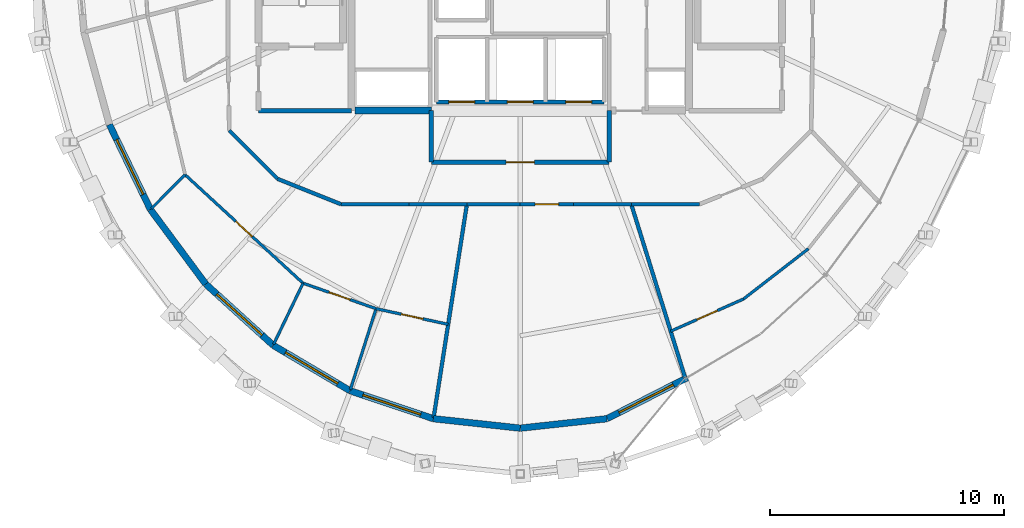
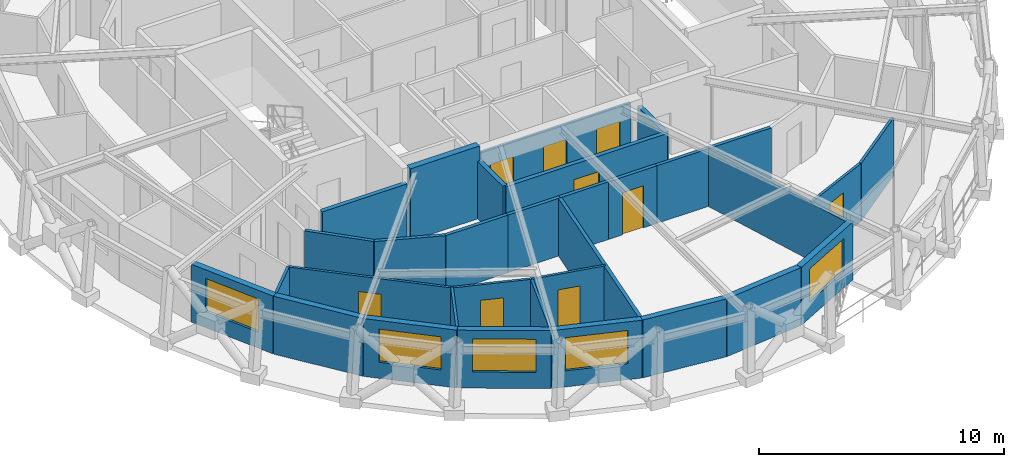
# One storey, part 10 of 15: 32 walls, 9 doors, 5 windows, 14 openings.
"""IFC4 building model written with IfcOpenShell, lengths in metres."""

from ifc_helpers import new_model, si_unit, direction, frame, frame_2d, origin, place, context, subcontext, project, spatial, rectangle, extrude, material, layer, layer_set, type_object, element, fill, save


model = new_model("IFC4")

# Units and contexts
model_context = context("Model", 3, precision=1e-05, world=origin(), true_north=direction((0.0, 1.0)))
body_context = subcontext(model_context, "Body", "Model", "MODEL_VIEW")
ifc_project = project(units=[si_unit("LENGTHUNIT", "METRE"), si_unit("AREAUNIT", "SQUARE_METRE"), si_unit("VOLUMEUNIT", "CUBIC_METRE"), si_unit("PLANEANGLEUNIT", "RADIAN"), si_unit("MASSUNIT", "GRAM", prefix="KILO")], contexts=[model_context])

# Site, building, storey
site_placement = place(None, origin())
site = spatial("IfcSite", under=ifc_project, at=site_placement, CompositionType="ELEMENT")
building_placement = place(site_placement, origin())
building = spatial("IfcBuilding", under=site, at=building_placement, Name="Veldorina Hangang Commons", CompositionType="ELEMENT")
storey_placement = place(building_placement, frame((0.0, 0.0, 276.0)))
storey = spatial("IfcBuildingStorey", under=building, at=storey_placement, Name="L72", CompositionType="ELEMENT", Elevation=276.0)

# Wall
ifc_material_1 = material(Name="Concrete C50/60", Category="concrete")
ifc_layer_1 = layer(ifc_material_1, 0.300048828125)
ifc_layer_set_1 = layer_set([ifc_layer_1], Name="Concrete C50/60")
wall_type_1 = type_object("IfcWallType", Name="CW-RC300-C50", PredefinedType="SHEAR", material=ifc_layer_set_1)
wall_1_placement = place(storey_placement, frame((24.949951171875, 16.550048828125, 0.0), z_axis=(0.0, 0.0, 1.0), x_axis=(1.0, 0.0, 0.0)))
element("IfcWall", 1, at=wall_1_placement, inside=storey, type_object=wall_type_1, Name="L72 south-west core shear wall", PredefinedType="SHEAR", context=body_context, shape_type="SweptSolid", body=[
    extrude(rectangle(XDim=3.25, YDim=0.300048828125, at=frame_2d((1.625, 0.0))), origin(), (0.0, 0.0, 1.0), 3.60009765625),
])

# Wall, opening, window
ifc_material_2 = material(Name="Stone Roman Travertine", Category="masonry")
ifc_layer_2 = layer(ifc_material_2, 0.280029296875)
ifc_layer_set_2 = layer_set([ifc_layer_2], Name="Stone Roman Travertine")
wall_type_2 = type_object("IfcWallType", Name="EW-TRAV-280", PredefinedType="STANDARD", material=ifc_layer_set_2)
wall_2_placement = place(storey_placement, frame((14.450927734375, 15.958740234375, 0.0), z_axis=(0.0, 0.0, 1.0), x_axis=(0.435070554904, -0.900396363973, 0.0)))
wall_2 = element("IfcWall", 2, at=wall_2_placement, inside=storey, type_object=wall_type_2, Name="L72 travertine facade wall 18", PredefinedType="STANDARD", context=body_context, shape_type="SweptSolid", body=[
    extrude(rectangle(XDim=4.03466796875, YDim=0.280029296875, at=frame_2d((2.017333984375, 0.0))), origin(), (0.0, 0.0, 1.0), 2.8798828125),
])
opening_1_placement = place(wall_2_placement, frame((0.71728515625, 0.0, 0.800048828125)))
opening_1 = element("IfcOpeningElement", 3, at=opening_1_placement, cuts=wall_2, Name="Opening W-02", PredefinedType="OPENING", context=body_context, shape_type="SweptSolid", body=[
    extrude(rectangle(XDim=2.60009765625, YDim=1.64990234375, at=frame_2d((1.300048828125, 0.824951171875))), frame((0.0, 0.14990234375, 0.0), z_axis=(0.0, -1.0, 0.0), x_axis=(1.0, 0.0, 0.0)), (0.0, 0.0, 1.0), 0.300048828125),
])
ifc_material_3 = material(Name="Glass Low-E Triple IGU", Category="glass")
window_type = type_object("IfcWindowType", Name="WIN-TWR-2600", PartitioningType="SINGLE_PANEL", PredefinedType="WINDOW", material=ifc_material_3)
window_1_placement = place(opening_1_placement, origin())
window_1 = element("IfcWindow", 4, at=window_1_placement, inside=storey, type_object=window_type, Name="L72 facade window 18", OverallHeight=1.64990234375, OverallWidth=2.60009765625, PartitioningType="SINGLE_PANEL", PredefinedType="WINDOW", context=body_context, shape_type="SweptSolid", body=[
    extrude(rectangle(XDim=2.60009765625, YDim=1.64990234375, at=frame_2d((1.300048828125, 0.824951171875))), frame((0.0, 0.030029296875, 0.0), z_axis=(0.0, -1.0, 0.0), x_axis=(1.0, 0.0, 0.0)), (0.0, 0.0, 1.0), 0.06005859375),
])
fill(opening_1, window_1)

# Wall
wall_3_placement = place(storey_placement, frame((16.206298828125, 12.325927734375, 0.0), z_axis=(0.0, 0.0, 1.0), x_axis=(0.595834112452, -0.803107533546, 0.0)))
element("IfcWall", 5, at=wall_3_placement, inside=storey, type_object=wall_type_2, Name="L72 travertine facade wall 19", PredefinedType="STANDARD", context=body_context, shape_type="SweptSolid", body=[
    extrude(rectangle(XDim=3.964599609375, YDim=0.280029296875, at=frame_2d((1.982421875, 0.0))), origin(), (0.0, 0.0, 1.0), 2.8798828125),
])

# Wall, opening, window
wall_4_placement = place(storey_placement, frame((18.568603515625, 9.141845703125, 0.0), z_axis=(0.0, 0.0, 1.0), x_axis=(0.740383189604, -0.672185043386, 0.0)))
wall_4 = element("IfcWall", 6, at=wall_4_placement, inside=storey, type_object=wall_type_2, Name="L72 travertine facade wall 20", PredefinedType="STANDARD", context=body_context, shape_type="SweptSolid", body=[
    extrude(rectangle(XDim=3.8876953125, YDim=0.280029296875, at=frame_2d((1.94384765625, 0.0))), origin(), (0.0, 0.0, 1.0), 2.8798828125),
])
opening_2_placement = place(wall_4_placement, frame((0.643798828125, 0.0, 0.800048828125)))
opening_2 = element("IfcOpeningElement", 7, at=opening_2_placement, cuts=wall_4, Name="Opening W-02", PredefinedType="OPENING", context=body_context, shape_type="SweptSolid", body=[
    extrude(rectangle(XDim=2.60009765625, YDim=1.64990234375, at=frame_2d((1.300048828125, 0.824951171875))), frame((0.0, 0.14990234375, 0.0), z_axis=(0.0, -1.0, 0.0), x_axis=(1.0, 0.0, 0.0)), (0.0, 0.0, 1.0), 0.300048828125),
])
window_2_placement = place(opening_2_placement, origin())
window_2 = element("IfcWindow", 8, at=window_2_placement, inside=storey, type_object=window_type, Name="L72 facade window 20", OverallHeight=1.64990234375, OverallWidth=2.60009765625, PartitioningType="SINGLE_PANEL", PredefinedType="WINDOW", context=body_context, shape_type="SweptSolid", body=[
    extrude(rectangle(XDim=2.60009765625, YDim=1.64990234375, at=frame_2d((1.300048828125, 0.824951171875))), frame((0.0, 0.030029296875, 0.0), z_axis=(0.0, -1.0, 0.0), x_axis=(1.0, 0.0, 0.0)), (0.0, 0.0, 1.0), 0.06005859375),
])
fill(opening_2, window_2)

wall_5_placement = place(storey_placement, frame((21.447021484375, 6.528564453125, 0.0), z_axis=(0.0, 0.0, 1.0), x_axis=(0.860795275747, -0.508951366294, 0.0)))
wall_5 = element("IfcWall", 9, at=wall_5_placement, inside=storey, type_object=wall_type_2, Name="L72 travertine facade wall 21", PredefinedType="STANDARD", context=body_context, shape_type="SweptSolid", body=[
    extrude(rectangle(XDim=3.81494140625, YDim=0.280029296875, at=frame_2d((1.907470703125, 0.0))), origin(), (0.0, 0.0, 1.0), 2.8798828125),
])
opening_3_placement = place(wall_5_placement, frame((0.607666015625, 0.0, 0.800048828125)))
opening_3 = element("IfcOpeningElement", 10, at=opening_3_placement, cuts=wall_5, Name="Opening W-02", PredefinedType="OPENING", context=body_context, shape_type="SweptSolid", body=[
    extrude(rectangle(XDim=2.60009765625, YDim=1.64990234375, at=frame_2d((1.300048828125, 0.824951171875))), frame((0.0, 0.14990234375, 0.0), z_axis=(0.0, -1.0, 0.0), x_axis=(1.0, 0.0, 0.0)), (0.0, 0.0, 1.0), 0.300048828125),
])
window_3_placement = place(opening_3_placement, origin())
window_3 = element("IfcWindow", 11, at=window_3_placement, inside=storey, type_object=window_type, Name="L72 facade window 21", OverallHeight=1.64990234375, OverallWidth=2.60009765625, PartitioningType="SINGLE_PANEL", PredefinedType="WINDOW", context=body_context, shape_type="SweptSolid", body=[
    extrude(rectangle(XDim=2.60009765625, YDim=1.64990234375, at=frame_2d((1.300048828125, 0.824951171875))), frame((0.0, 0.030029296875, 0.0), z_axis=(0.0, -1.0, 0.0), x_axis=(1.0, 0.0, 0.0)), (0.0, 0.0, 1.0), 0.06005859375),
])
fill(opening_3, window_3)

wall_6_placement = place(storey_placement, frame((24.73095703125, 4.5869140625, 0.0), z_axis=(0.0, 0.0, 1.0), x_axis=(0.948038268377, -0.318156316445, 0.0)))
wall_6 = element("IfcWall", 12, at=wall_6_placement, inside=storey, type_object=wall_type_2, Name="L72 travertine facade wall 22", PredefinedType="STANDARD", context=body_context, shape_type="SweptSolid", body=[
    extrude(rectangle(XDim=3.758544921875, YDim=0.280029296875, at=frame_2d((1.87939453125, 0.0))), origin(), (0.0, 0.0, 1.0), 2.8798828125),
])
opening_4_placement = place(wall_6_placement, frame((0.579345703125, 0.0, 0.800048828125)))
opening_4 = element("IfcOpeningElement", 13, at=opening_4_placement, cuts=wall_6, Name="Opening W-02", PredefinedType="OPENING", context=body_context, shape_type="SweptSolid", body=[
    extrude(rectangle(XDim=2.60009765625, YDim=1.64990234375, at=frame_2d((1.300048828125, 0.824951171875))), frame((0.0, 0.14990234375, 0.0), z_axis=(0.0, -1.0, 0.0), x_axis=(1.0, 0.0, 0.0)), (0.0, 0.0, 1.0), 0.300048828125),
])
window_4_placement = place(opening_4_placement, origin())
window_4 = element("IfcWindow", 14, at=window_4_placement, inside=storey, type_object=window_type, Name="L72 facade window 22", OverallHeight=1.64990234375, OverallWidth=2.60009765625, PartitioningType="SINGLE_PANEL", PredefinedType="WINDOW", context=body_context, shape_type="SweptSolid", body=[
    extrude(rectangle(XDim=2.60009765625, YDim=1.64990234375, at=frame_2d((1.300048828125, 0.824951171875))), frame((0.0, 0.030029296875, 0.0), z_axis=(0.0, -1.0, 0.0), x_axis=(1.0, 0.0, 0.0)), (0.0, 0.0, 1.0), 0.06005859375),
])
fill(opening_4, window_4)

# Walls
for number, where, z_axis, x_axis, name in (
    (15, (28.294189453125, 3.39111328125, 0.0), (0.0, 0.0, 1.0), (0.99411552011, -0.108325124861, 0.0), "L72 travertine facade wall 23"),
    (16, (32.0, 2.9873046875, 0.0), (0.0, 0.0, 1.0), (0.99411552011, 0.108325124861, 0.0), "L72 travertine facade wall 24"),
):
    element("IfcWall", number, at=place(storey_placement, frame(where, z_axis=z_axis, x_axis=x_axis)), inside=storey, type_object=wall_type_2, Name=name, PredefinedType="STANDARD", context=body_context, shape_type="SweptSolid", body=[
        extrude(rectangle(XDim=3.727783203125, YDim=0.280029296875, at=frame_2d((1.86376953125, 0.0))), origin(), (0.0, 0.0, 1.0), 2.8798828125),
    ])

# Wall, opening, window
wall_7_placement = place(storey_placement, frame((35.705810546875, 3.39111328125, 0.0), z_axis=(0.0, 0.0, 1.0), x_axis=(0.890297145605, 0.455380052843, 0.0)))
wall_7 = element("IfcWall", 17, at=wall_7_placement, inside=storey, type_object=wall_type_2, Name="L72 travertine facade wall 25", PredefinedType="STANDARD", context=body_context, shape_type="SweptSolid", body=[
    extrude(rectangle(XDim=3.853759765625, YDim=0.280029296875, at=frame_2d((1.9267578125, 0.0))), origin(), (0.0, 0.0, 1.0), 2.8798828125),
])
opening_5_placement = place(wall_7_placement, frame((0.580810546875, 0.0, 0.800048828125)))
opening_5 = element("IfcOpeningElement", 18, at=opening_5_placement, cuts=wall_7, Name="Opening W-02", PredefinedType="OPENING", context=body_context, shape_type="SweptSolid", body=[
    extrude(rectangle(XDim=2.60009765625, YDim=1.64990234375, at=frame_2d((1.300048828125, 0.824951171875))), frame((0.0, 0.14990234375, 0.0), z_axis=(0.0, -1.0, 0.0), x_axis=(1.0, 0.0, 0.0)), (0.0, 0.0, 1.0), 0.300048828125),
])
window_5_placement = place(opening_5_placement, origin())
window_5 = element("IfcWindow", 19, at=window_5_placement, inside=storey, type_object=window_type, Name="L72 facade window 25", OverallHeight=1.64990234375, OverallWidth=2.60009765625, PartitioningType="SINGLE_PANEL", PredefinedType="WINDOW", context=body_context, shape_type="SweptSolid", body=[
    extrude(rectangle(XDim=2.60009765625, YDim=1.64990234375, at=frame_2d((1.300048828125, 0.824951171875))), frame((0.0, 0.030029296875, 0.0), z_axis=(0.0, -1.0, 0.0), x_axis=(1.0, 0.0, 0.0)), (0.0, 0.0, 1.0), 0.06005859375),
])
fill(opening_5, window_5)

# Wall, openings, doors
ifc_material_4 = material(Name="Gypsum Fire-Rated Twin Stud Wall", Category="gypsum")
ifc_layer_3 = layer(ifc_material_4, 0.159912109375)
ifc_layer_set_3 = layer_set([ifc_layer_3], Name="Gypsum Fire-Rated Twin Stud Wall")
wall_type_3 = type_object("IfcWallType", Name="WL-FIRE-160", PredefinedType="SOLIDWALL", material=ifc_layer_set_3)
wall_8_placement = place(storey_placement, frame((28.419921875, 16.919921875, 0.0), z_axis=(0.0, 0.0, 1.0), x_axis=(1.0, 0.0, 0.0)))
wall_8 = element("IfcWall", 20, at=wall_8_placement, inside=storey, type_object=wall_type_3, Name="L72 Emergency front shaft wall 023", PredefinedType="SOLIDWALL", context=body_context, shape_type="SweptSolid", body=[
    extrude(rectangle(XDim=7.16015625, YDim=0.159912109375, at=frame_2d((3.580078125, 0.0))), origin(), (0.0, 0.0, 1.0), 2.8701171875),
])
opening_6_placement = place(wall_8_placement, frame((0.530029296875, 0.0, 0.0)))
opening_6 = element("IfcOpeningElement", 21, at=opening_6_placement, cuts=wall_8, Name="Opening LD-03", PredefinedType="OPENING", context=body_context, shape_type="SweptSolid", body=[
    extrude(rectangle(XDim=1.10009765625, YDim=2.14990234375, at=frame_2d((0.550048828125, 1.074951171875))), frame((0.0, 0.08984375, 0.0), z_axis=(0.0, -1.0, 0.0), x_axis=(1.0, 0.0, 0.0)), (0.0, 0.0, 1.0), 0.179931640625),
])
opening_7_placement = place(wall_8_placement, frame((3.030029296875, 0.0, 0.0)))
opening_7 = element("IfcOpeningElement", 22, at=opening_7_placement, cuts=wall_8, Name="Opening LD-03", PredefinedType="OPENING", context=body_context, shape_type="SweptSolid", body=[
    extrude(rectangle(XDim=1.10009765625, YDim=2.14990234375, at=frame_2d((0.550048828125, 1.074951171875))), frame((0.0, 0.08984375, 0.0), z_axis=(0.0, -1.0, 0.0), x_axis=(1.0, 0.0, 0.0)), (0.0, 0.0, 1.0), 0.179931640625),
])
opening_8_placement = place(wall_8_placement, frame((5.530029296875, 0.0, 0.0)))
opening_8 = element("IfcOpeningElement", 23, at=opening_8_placement, cuts=wall_8, Name="Opening LD-03", PredefinedType="OPENING", context=body_context, shape_type="SweptSolid", body=[
    extrude(rectangle(XDim=1.10009765625, YDim=2.14990234375, at=frame_2d((0.550048828125, 1.074951171875))), frame((0.0, 0.08984375, 0.0), z_axis=(0.0, -1.0, 0.0), x_axis=(1.0, 0.0, 0.0)), (0.0, 0.0, 1.0), 0.179931640625),
])
ifc_material_5 = material(Name="Stainless Steel Firefighting Lift Door", Category="steel")
door_type_1 = type_object("IfcDoorType", Name="DR-LIFT-FF1100", OperationType="SLIDING_TO_RIGHT", PredefinedType="DOOR", material=ifc_material_5)
door_1_placement = place(opening_6_placement, origin())
door_1 = element("IfcDoor", 24, at=door_1_placement, inside=storey, type_object=door_type_1, Name="L72 Emergency lift FFL-1 landing door 008", OperationType="SLIDING_TO_RIGHT", OverallHeight=2.14990234375, OverallWidth=1.10009765625, PredefinedType="DOOR", context=body_context, shape_type="SweptSolid", body=[
    extrude(rectangle(XDim=1.10009765625, YDim=2.14990234375, at=frame_2d((0.550048828125, 1.074951171875))), frame((0.0, 0.02490234375, 0.0), z_axis=(0.0, -1.0, 0.0), x_axis=(1.0, 0.0, 0.0)), (0.0, 0.0, 1.0), 0.050048828125),
])
fill(opening_6, door_1)
door_2_placement = place(opening_7_placement, origin())
door_2 = element("IfcDoor", 25, at=door_2_placement, inside=storey, type_object=door_type_1, Name="L72 Emergency lift FFL-2 landing door 009", OperationType="SLIDING_TO_RIGHT", OverallHeight=2.14990234375, OverallWidth=1.10009765625, PredefinedType="DOOR", context=body_context, shape_type="SweptSolid", body=[
    extrude(rectangle(XDim=1.10009765625, YDim=2.14990234375, at=frame_2d((0.550048828125, 1.074951171875))), frame((0.0, 0.02490234375, 0.0), z_axis=(0.0, -1.0, 0.0), x_axis=(1.0, 0.0, 0.0)), (0.0, 0.0, 1.0), 0.050048828125),
])
fill(opening_7, door_2)
door_3_placement = place(opening_8_placement, origin())
door_3 = element("IfcDoor", 26, at=door_3_placement, inside=storey, type_object=door_type_1, Name="L72 Emergency lift EVL-1 landing door 010", OperationType="SLIDING_TO_RIGHT", OverallHeight=2.14990234375, OverallWidth=1.10009765625, PredefinedType="DOOR", context=body_context, shape_type="SweptSolid", body=[
    extrude(rectangle(XDim=1.10009765625, YDim=2.14990234375, at=frame_2d((0.550048828125, 1.074951171875))), frame((0.0, 0.02490234375, 0.0), z_axis=(0.0, -1.0, 0.0), x_axis=(1.0, 0.0, 0.0)), (0.0, 0.0, 1.0), 0.050048828125),
])
fill(opening_8, door_3)

# Walls
wall_9_placement = place(storey_placement, frame((19.5732421875, 15.69677734375, 0.0), z_axis=(0.0, 0.0, 1.0), x_axis=(0.707106781187, -0.707106781187, 0.0)))
element("IfcWall", 27, at=wall_9_placement, inside=storey, type_object=wall_type_3, Name="L72 Compact collar outer wall 19 071", PredefinedType="SOLIDWALL", context=body_context, shape_type="SweptSolid", body=[
    extrude(rectangle(XDim=2.915771484375, YDim=0.159912109375, at=frame_2d((1.4580078125, 0.0))), origin(), (0.0, 0.0, 1.0), 2.8701171875),
])
wall_10_placement = place(storey_placement, frame((21.635009765625, 13.635009765625, 0.0), z_axis=(0.0, 0.0, 1.0), x_axis=(0.92856882165, -0.371160266542, 0.0)))
element("IfcWall", 28, at=wall_10_placement, inside=storey, type_object=wall_type_3, Name="L72 Compact collar outer wall 20 072", PredefinedType="SOLIDWALL", context=body_context, shape_type="SweptSolid", body=[
    extrude(rectangle(XDim=2.923095703125, YDim=0.159912109375, at=frame_2d((1.46142578125, 0.0))), origin(), (0.0, 0.0, 1.0), 2.8701171875),
])
wall_11_placement = place(storey_placement, frame((24.349365234375, 12.550048828125, 0.0), z_axis=(0.0, 0.0, 1.0), x_axis=(1.0, 0.0, 0.0)))
element("IfcWall", 29, at=wall_11_placement, inside=storey, type_object=wall_type_3, Name="L72 Compact collar outer wall 21 073", PredefinedType="SOLIDWALL", context=body_context, shape_type="SweptSolid", body=[
    extrude(rectangle(XDim=2.907958984375, YDim=0.159912109375, at=frame_2d((1.4541015625, 0.0))), origin(), (0.0, 0.0, 1.0), 2.8701171875),
])
wall_12_placement = place(storey_placement, frame((27.25732421875, 12.550048828125, 0.0), z_axis=(0.0, 0.0, 1.0), x_axis=(1.0, 0.0, 0.0)))
element("IfcWall", 30, at=wall_12_placement, inside=storey, type_object=wall_type_3, Name="L72 Compact collar outer wall 22 074", PredefinedType="SOLIDWALL", context=body_context, shape_type="SweptSolid", body=[
    extrude(rectangle(XDim=2.465087890625, YDim=0.159912109375, at=frame_2d((1.232421875, 0.0))), origin(), (0.0, 0.0, 1.0), 2.8701171875),
])
wall_13_placement = place(storey_placement, frame((29.722412109375, 12.550048828125, 0.0), z_axis=(0.0, 0.0, 1.0), x_axis=(1.0, 0.0, 0.0)))
element("IfcWall", 31, at=wall_13_placement, inside=storey, type_object=wall_type_3, Name="L72 Compact collar outer wall 23 075", PredefinedType="SOLIDWALL", context=body_context, shape_type="SweptSolid", body=[
    extrude(rectangle(XDim=2.277587890625, YDim=0.159912109375, at=frame_2d((1.138671875, 0.0))), origin(), (0.0, 0.0, 1.0), 2.8701171875),
])

# Wall, opening, door
wall_14_placement = place(storey_placement, frame((32.0, 12.550048828125, 0.0), z_axis=(0.0, 0.0, 1.0), x_axis=(1.0, 0.0, 0.0)))
wall_14 = element("IfcWall", 32, at=wall_14_placement, inside=storey, type_object=wall_type_3, Name="L72 Compact collar outer wall 24 076", PredefinedType="SOLIDWALL", context=body_context, shape_type="SweptSolid", body=[
    extrude(rectangle(XDim=2.277587890625, YDim=0.159912109375, at=frame_2d((1.138671875, 0.0))), origin(), (0.0, 0.0, 1.0), 2.8701171875),
])
opening_9_placement = place(wall_14_placement, frame((0.638671875, 0.0, 0.0)))
opening_9 = element("IfcOpeningElement", 33, at=opening_9_placement, cuts=wall_14, Name="Opening D-05", PredefinedType="OPENING", context=body_context, shape_type="SweptSolid", body=[
    extrude(rectangle(XDim=1.0, YDim=2.10009765625, at=frame_2d((0.5, 1.050048828125))), frame((0.0, 0.08984375, 0.0), z_axis=(0.0, -1.0, 0.0), x_axis=(1.0, 0.0, 0.0)), (0.0, 0.0, 1.0), 0.179931640625),
])
ifc_material_6 = material(Name="Timber Solid Core Acoustic", Category="wood")
door_type_2 = type_object("IfcDoorType", Name="DR-INT-1000", OperationType="SINGLE_SWING_RIGHT", PredefinedType="DOOR", material=ifc_material_6)
door_4_placement = place(opening_9_placement, origin())
door_4 = element("IfcDoor", 34, at=door_4_placement, inside=storey, type_object=door_type_2, Name="L72 Floor Study Room 7 door 043", OperationType="SINGLE_SWING_LEFT", OverallHeight=2.10009765625, OverallWidth=1.0, PredefinedType="DOOR", context=body_context, shape_type="SweptSolid", body=[
    extrude(rectangle(XDim=1.0, YDim=2.10009765625, at=frame_2d((0.5, 1.050048828125))), frame((0.0, 0.02490234375, 0.0), z_axis=(0.0, -1.0, 0.0), x_axis=(1.0, 0.0, 0.0)), (0.0, 0.0, 1.0), 0.050048828125),
])
fill(opening_9, door_4)

# Walls
wall_15_placement = place(storey_placement, frame((34.277587890625, 12.550048828125, 0.0), z_axis=(0.0, 0.0, 1.0), x_axis=(1.0, 0.0, 0.0)))
element("IfcWall", 35, at=wall_15_placement, inside=storey, type_object=wall_type_3, Name="L72 Compact collar outer wall 25 077", PredefinedType="SOLIDWALL", context=body_context, shape_type="SweptSolid", body=[
    extrude(rectangle(XDim=2.465087890625, YDim=0.159912109375, at=frame_2d((1.232421875, 0.0))), origin(), (0.0, 0.0, 1.0), 2.8701171875),
])
wall_16_placement = place(storey_placement, frame((36.74267578125, 12.550048828125, 0.0), z_axis=(0.0, 0.0, 1.0), x_axis=(1.0, 0.0, 0.0)))
element("IfcWall", 36, at=wall_16_placement, inside=storey, type_object=wall_type_3, Name="L72 Compact collar outer wall 26 078", PredefinedType="SOLIDWALL", context=body_context, shape_type="SweptSolid", body=[
    extrude(rectangle(XDim=2.907958984375, YDim=0.159912109375, at=frame_2d((1.4541015625, 0.0))), origin(), (0.0, 0.0, 1.0), 2.8701171875),
])
wall_17_placement = place(storey_placement, frame((29.722412109375, 12.550048828125, 0.0), z_axis=(0.0, 0.0, 1.0), x_axis=(-0.154062642414, -0.988061082227, 0.0)))
element("IfcWall", 37, at=wall_17_placement, inside=storey, type_object=wall_type_3, Name="L72 Unit party wall 23 121", PredefinedType="SOLIDWALL", context=body_context, shape_type="SweptSolid", body=[
    extrude(rectangle(XDim=9.2197265625, YDim=0.159912109375, at=frame_2d((4.60986328125, 0.0))), origin(), (0.0, 0.0, 1.0), 2.8701171875),
])
wall_18_placement = place(storey_placement, frame((36.74267578125, 12.550048828125, 0.0), z_axis=(0.0, 0.0, 1.0), x_axis=(0.296540968553, -0.955020132756, 0.0)))
element("IfcWall", 38, at=wall_18_placement, inside=storey, type_object=wall_type_3, Name="L72 Unit party wall 26 122", PredefinedType="SOLIDWALL", context=body_context, shape_type="SweptSolid", body=[
    extrude(rectangle(XDim=7.746337890625, YDim=0.159912109375, at=frame_2d((3.873046875, 0.0))), origin(), (0.0, 0.0, 1.0), 2.8701171875),
])
ifc_material_7 = material(Name="Concrete Blockwork Fire Wall C30/37", Category="masonry")
ifc_layer_4 = layer(ifc_material_7, 0.199951171875)
ifc_layer_set_4 = layer_set([ifc_layer_4], Name="Concrete Blockwork Fire Wall C30/37")
wall_type_4 = type_object("IfcWallType", Name="WL-FIRE-200", PredefinedType="SOLIDWALL", material=ifc_layer_set_4)
wall_19_placement = place(storey_placement, frame((20.820068359375, 16.550048828125, 0.0), z_axis=(0.0, 0.0, 1.0), x_axis=(1.0, 0.0, 0.0)))
element("IfcWall", 39, at=wall_19_placement, inside=storey, type_object=wall_type_4, Name="L72 West vestibule south wall 002", PredefinedType="SOLIDWALL", context=body_context, shape_type="SweptSolid", body=[
    extrude(rectangle(XDim=3.97998046875, YDim=0.199951171875, at=frame_2d((1.989990234375, 0.0))), origin(), (0.0, 0.0, 1.0), 2.8701171875),
])
for number, where, z_axis, x_axis, name in (
    (40, (28.199951171875, 14.35009765625, 0.0), (0.0, 0.0, 1.0), (0.0, 1.0, 0.0), "L72 FF lobby west wall 012"),
    (41, (35.800048828125, 14.35009765625, 0.0), (0.0, 0.0, 1.0), (0.0, 1.0, 0.0), "L72 FF lobby east wall 013"),
):
    element("IfcWall", number, at=place(storey_placement, frame(where, z_axis=z_axis, x_axis=x_axis)), inside=storey, type_object=wall_type_4, Name=name, PredefinedType="SOLIDWALL", context=body_context, shape_type="SweptSolid", body=[
        extrude(rectangle(XDim=2.199951171875, YDim=0.199951171875, at=frame_2d((1.10009765625, 0.0))), origin(), (0.0, 0.0, 1.0), 2.8701171875),
    ])

# Wall, opening, door
wall_20_placement = place(storey_placement, frame((28.199951171875, 14.35009765625, 0.0), z_axis=(0.0, 0.0, 1.0), x_axis=(1.0, 0.0, 0.0)))
wall_20 = element("IfcWall", 42, at=wall_20_placement, inside=storey, type_object=wall_type_4, Name="L72 FF lobby south wall 014", PredefinedType="SOLIDWALL", context=body_context, shape_type="SweptSolid", body=[
    extrude(rectangle(XDim=7.60009765625, YDim=0.199951171875, at=frame_2d((3.800048828125, 0.0))), origin(), (0.0, 0.0, 1.0), 2.8701171875),
])
opening_10_placement = place(wall_20_placement, frame((3.199951171875, 0.0, 0.0)))
opening_10 = element("IfcOpeningElement", 43, at=opening_10_placement, cuts=wall_20, Name="Opening D-09", PredefinedType="OPENING", context=body_context, shape_type="SweptSolid", body=[
    extrude(rectangle(XDim=1.199951171875, YDim=2.10009765625, at=frame_2d((0.60009765625, 1.050048828125))), frame((0.0, 0.10986328125, 0.0), z_axis=(0.0, -1.0, 0.0), x_axis=(1.0, 0.0, 0.0)), (0.0, 0.0, 1.0), 0.219970703125),
])
ifc_material_8 = material(Name="Steel Fire-Rated Corridor Door", Category="steel")
door_type_3 = type_object("IfcDoorType", Name="DR-FIRE-1200", OperationType="SINGLE_SWING_LEFT", PredefinedType="DOOR", material=ifc_material_8)
door_5_placement = place(opening_10_placement, origin())
door_5 = element("IfcDoor", 44, at=door_5_placement, inside=storey, type_object=door_type_3, Name="L72 FF lobby south corridor door 005", OperationType="SINGLE_SWING_LEFT", OverallHeight=2.10009765625, OverallWidth=1.199951171875, PredefinedType="DOOR", context=body_context, shape_type="SweptSolid", body=[
    extrude(rectangle(XDim=1.199951171875, YDim=2.10009765625, at=frame_2d((0.60009765625, 1.050048828125))), frame((0.0, 0.02490234375, 0.0), z_axis=(0.0, -1.0, 0.0), x_axis=(1.0, 0.0, 0.0)), (0.0, 0.0, 1.0), 0.050048828125),
])
fill(opening_10, door_5)

ifc_material_9 = material(Name="Gypsum Acoustic Stud Partition", Category="gypsum")
ifc_layer_5 = layer(ifc_material_9, 0.1201171875)
ifc_layer_set_5 = layer_set([ifc_layer_5], Name="Gypsum Acoustic Stud Partition")
wall_type_5 = type_object("IfcWallType", Name="WL-PART-120", PredefinedType="PARTITIONING", material=ifc_layer_set_5)
wall_21_placement = place(storey_placement, frame((17.687744140625, 13.80908203125, 0.0), z_axis=(0.0, 0.0, 1.0), x_axis=(0.736103094718, -0.67686943641, 0.0)))
wall_21 = element("IfcWall", 45, at=wall_21_placement, inside=storey, type_object=wall_type_5, Name="L72 Cluster 6 bed 2 front wall 115", PredefinedType="PARTITIONING", context=body_context, shape_type="SweptSolid", body=[
    extrude(rectangle(XDim=6.842041015625, YDim=0.1201171875, at=frame_2d((3.4208984375, 0.0))), origin(), (0.0, 0.0, 1.0), 2.8701171875),
])
opening_11_placement = place(wall_21_placement, frame((2.94580078125, 0.0, 0.0)))
opening_11 = element("IfcOpeningElement", 46, at=opening_11_placement, cuts=wall_21, Name="Opening D-02", PredefinedType="OPENING", context=body_context, shape_type="SweptSolid", body=[
    extrude(rectangle(XDim=0.949951171875, YDim=2.10009765625, at=frame_2d((0.47509765625, 1.050048828125))), frame((0.0, 0.070068359375, 0.0), z_axis=(0.0, -1.0, 0.0), x_axis=(1.0, 0.0, 0.0)), (0.0, 0.0, 1.0), 0.14013671875),
])
door_type_4 = type_object("IfcDoorType", Name="DR-INT-950", OperationType="SINGLE_SWING_LEFT", PredefinedType="DOOR", material=ifc_material_6)
door_6_placement = place(opening_11_placement, origin())
door_6 = element("IfcDoor", 47, at=door_6_placement, inside=storey, type_object=door_type_4, Name="L72 Cluster 6 bed 2 door 040", OperationType="SINGLE_SWING_RIGHT", OverallHeight=2.10009765625, OverallWidth=0.949951171875, PredefinedType="DOOR", context=body_context, shape_type="SweptSolid", body=[
    extrude(rectangle(XDim=0.949951171875, YDim=2.10009765625, at=frame_2d((0.47509765625, 1.050048828125))), frame((0.0, 0.02490234375, 0.0), z_axis=(0.0, -1.0, 0.0), x_axis=(1.0, 0.0, 0.0)), (0.0, 0.0, 1.0), 0.050048828125),
])
fill(opening_11, door_6)

# Wall
wall_22_placement = place(storey_placement, frame((17.687744140625, 13.80908203125, 0.0), z_axis=(0.0, 0.0, 1.0), x_axis=(-0.706689063462, -0.707524252293, 0.0)))
element("IfcWall", 48, at=wall_22_placement, inside=storey, type_object=wall_type_5, Name="L72 Cluster 6 bed divider 1 116", PredefinedType="PARTITIONING", context=body_context, shape_type="SweptSolid", body=[
    extrude(rectangle(XDim=2.046142578125, YDim=0.1201171875, at=frame_2d((1.02294921875, 0.0))), origin(), (0.0, 0.0, 1.0), 2.8701171875),
])

# Wall, opening, door
wall_23_placement = place(storey_placement, frame((22.72412109375, 9.177978515625, 0.0), z_axis=(0.0, 0.0, 1.0), x_axis=(0.944239204451, -0.329260269054, 0.0)))
wall_23 = element("IfcWall", 49, at=wall_23_placement, inside=storey, type_object=wall_type_5, Name="L72 Cluster 6 bed 3 front wall 117", PredefinedType="PARTITIONING", context=body_context, shape_type="SweptSolid", body=[
    extrude(rectangle(XDim=3.302490234375, YDim=0.1201171875, at=frame_2d((1.6513671875, 0.0))), origin(), (0.0, 0.0, 1.0), 2.8701171875),
])
opening_12_placement = place(wall_23_placement, frame((1.17626953125, 0.0, 0.0)))
opening_12 = element("IfcOpeningElement", 50, at=opening_12_placement, cuts=wall_23, Name="Opening D-02", PredefinedType="OPENING", context=body_context, shape_type="SweptSolid", body=[
    extrude(rectangle(XDim=0.949951171875, YDim=2.10009765625, at=frame_2d((0.47509765625, 1.050048828125))), frame((0.0, 0.070068359375, 0.0), z_axis=(0.0, -1.0, 0.0), x_axis=(1.0, 0.0, 0.0)), (0.0, 0.0, 1.0), 0.14013671875),
])
door_7_placement = place(opening_12_placement, origin())
door_7 = element("IfcDoor", 51, at=door_7_placement, inside=storey, type_object=door_type_4, Name="L72 Cluster 6 bed 3 door 041", OperationType="SINGLE_SWING_LEFT", OverallHeight=2.10009765625, OverallWidth=0.949951171875, PredefinedType="DOOR", context=body_context, shape_type="SweptSolid", body=[
    extrude(rectangle(XDim=0.949951171875, YDim=2.10009765625, at=frame_2d((0.47509765625, 1.050048828125))), frame((0.0, 0.02490234375, 0.0), z_axis=(0.0, -1.0, 0.0), x_axis=(1.0, 0.0, 0.0)), (0.0, 0.0, 1.0), 0.050048828125),
])
fill(opening_12, door_7)

# Wall
wall_24_placement = place(storey_placement, frame((22.72412109375, 9.177978515625, 0.0), z_axis=(0.0, 0.0, 1.0), x_axis=(-0.434196411504, -0.900818225968, 0.0)))
element("IfcWall", 52, at=wall_24_placement, inside=storey, type_object=wall_type_5, Name="L72 Cluster 6 bed divider 2 118", PredefinedType="PARTITIONING", context=body_context, shape_type="SweptSolid", body=[
    extrude(rectangle(XDim=2.891357421875, YDim=0.1201171875, at=frame_2d((1.44580078125, 0.0))), origin(), (0.0, 0.0, 1.0), 2.8701171875),
])

# Wall, opening, door
wall_25_placement = place(storey_placement, frame((25.842529296875, 8.090576171875, 0.0), z_axis=(0.0, 0.0, 1.0), x_axis=(0.977170072037, -0.21245858494, 0.0)))
wall_25 = element("IfcWall", 53, at=wall_25_placement, inside=storey, type_object=wall_type_5, Name="L72 Cluster 6 bed 4 front wall 119", PredefinedType="PARTITIONING", context=body_context, shape_type="SweptSolid", body=[
    extrude(rectangle(XDim=3.152099609375, YDim=0.1201171875, at=frame_2d((1.576171875, 0.0))), origin(), (0.0, 0.0, 1.0), 2.8701171875),
])
opening_13_placement = place(wall_25_placement, frame((1.10107421875, 0.0, 0.0)))
opening_13 = element("IfcOpeningElement", 54, at=opening_13_placement, cuts=wall_25, Name="Opening D-02", PredefinedType="OPENING", context=body_context, shape_type="SweptSolid", body=[
    extrude(rectangle(XDim=0.949951171875, YDim=2.10009765625, at=frame_2d((0.47509765625, 1.050048828125))), frame((0.0, 0.070068359375, 0.0), z_axis=(0.0, -1.0, 0.0), x_axis=(1.0, 0.0, 0.0)), (0.0, 0.0, 1.0), 0.14013671875),
])
door_8_placement = place(opening_13_placement, origin())
door_8 = element("IfcDoor", 55, at=door_8_placement, inside=storey, type_object=door_type_4, Name="L72 Cluster 6 bed 4 door 042", OperationType="SINGLE_SWING_RIGHT", OverallHeight=2.10009765625, OverallWidth=0.949951171875, PredefinedType="DOOR", context=body_context, shape_type="SweptSolid", body=[
    extrude(rectangle(XDim=0.949951171875, YDim=2.10009765625, at=frame_2d((0.47509765625, 1.050048828125))), frame((0.0, 0.02490234375, 0.0), z_axis=(0.0, -1.0, 0.0), x_axis=(1.0, 0.0, 0.0)), (0.0, 0.0, 1.0), 0.050048828125),
])
fill(opening_13, door_8)

# Wall
wall_26_placement = place(storey_placement, frame((25.842529296875, 8.090576171875, 0.0), z_axis=(0.0, 0.0, 1.0), x_axis=(-0.302397560597, -0.953181889959, 0.0)))
element("IfcWall", 56, at=wall_26_placement, inside=storey, type_object=wall_type_5, Name="L72 Cluster 6 bed divider 3 120", PredefinedType="PARTITIONING", context=body_context, shape_type="SweptSolid", body=[
    extrude(rectangle(XDim=3.625732421875, YDim=0.1201171875, at=frame_2d((1.81298828125, 0.0))), origin(), (0.0, 0.0, 1.0), 2.8701171875),
])

# Wall, opening, door
wall_27_placement = place(storey_placement, frame((38.426025390625, 7.12841796875, 0.0), z_axis=(0.0, 0.0, 1.0), x_axis=(0.914529211397, 0.404519865399, 0.0)))
wall_27 = element("IfcWall", 57, at=wall_27_placement, inside=storey, type_object=wall_type_5, Name="L72 Laundry split 0 123", PredefinedType="PARTITIONING", context=body_context, shape_type="SweptSolid", body=[
    extrude(rectangle(XDim=3.402099609375, YDim=0.1201171875, at=frame_2d((1.701171875, 0.0))), origin(), (0.0, 0.0, 1.0), 2.8701171875),
])
opening_14_placement = place(wall_27_placement, frame((1.22607421875, 0.0, 0.0)))
opening_14 = element("IfcOpeningElement", 58, at=opening_14_placement, cuts=wall_27, Name="Opening D-02", PredefinedType="OPENING", context=body_context, shape_type="SweptSolid", body=[
    extrude(rectangle(XDim=0.949951171875, YDim=2.10009765625, at=frame_2d((0.47509765625, 1.050048828125))), frame((0.0, 0.070068359375, 0.0), z_axis=(0.0, -1.0, 0.0), x_axis=(1.0, 0.0, 0.0)), (0.0, 0.0, 1.0), 0.14013671875),
])
door_9_placement = place(opening_14_placement, origin())
door_9 = element("IfcDoor", 59, at=door_9_placement, inside=storey, type_object=door_type_4, Name="L72 Resident laundry inner door 045", OperationType="SINGLE_SWING_LEFT", OverallHeight=2.10009765625, OverallWidth=0.949951171875, PredefinedType="DOOR", context=body_context, shape_type="SweptSolid", body=[
    extrude(rectangle(XDim=0.949951171875, YDim=2.10009765625, at=frame_2d((0.47509765625, 1.050048828125))), frame((0.0, 0.02490234375, 0.0), z_axis=(0.0, -1.0, 0.0), x_axis=(1.0, 0.0, 0.0)), (0.0, 0.0, 1.0), 0.050048828125),
])
fill(opening_14, door_9)

# Wall
wall_28_placement = place(storey_placement, frame((41.537353515625, 8.504638671875, 0.0), z_axis=(0.0, 0.0, 1.0), x_axis=(0.790595390805, 0.61233889966, 0.0)))
element("IfcWall", 60, at=wall_28_placement, inside=storey, type_object=wall_type_5, Name="L72 Laundry split 1 124", PredefinedType="PARTITIONING", context=body_context, shape_type="SweptSolid", body=[
    extrude(rectangle(XDim=3.506103515625, YDim=0.1201171875, at=frame_2d((1.7529296875, 0.0))), origin(), (0.0, 0.0, 1.0), 2.8701171875),
])

save(model, "model.ifc")
